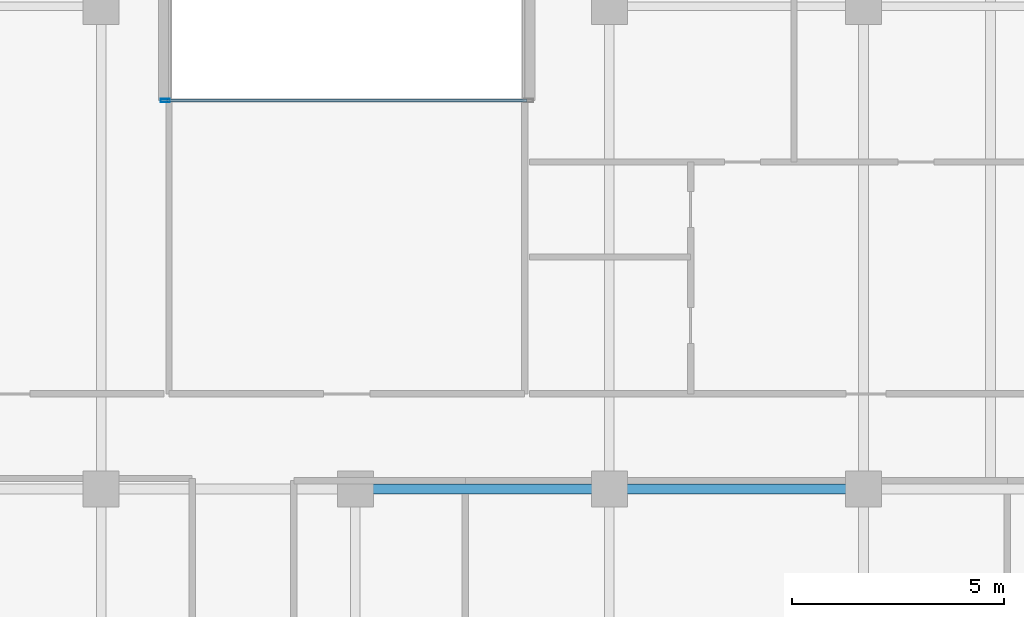
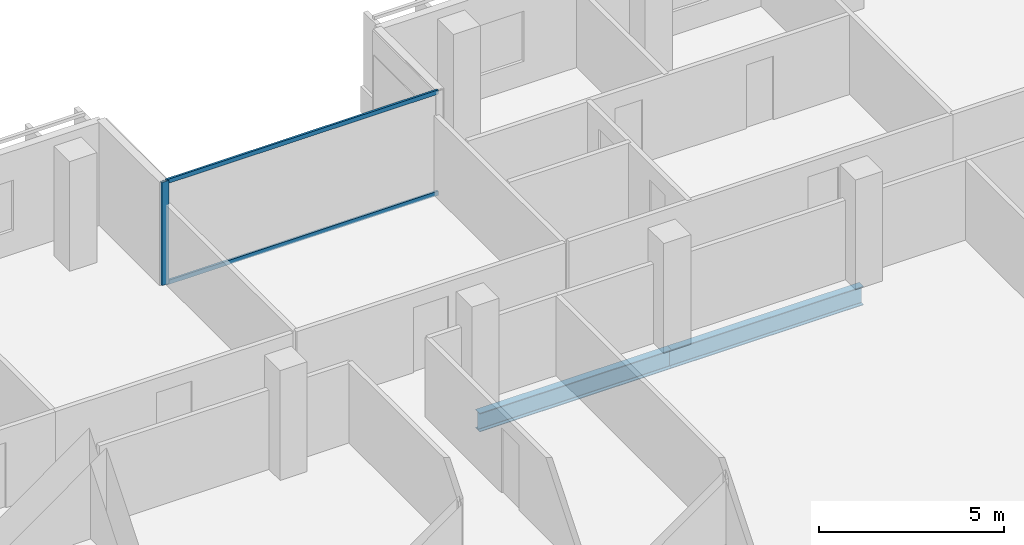
# One storey, part 10 of 30: 3 members, 2 beams, 1 element without a shape of its own.
"""IFC4 building model written with IfcOpenShell, lengths in metres."""

from ifc_helpers import new_model, si_unit, direction, frame, origin, origin_2d, place, context, subcontext, project, spatial, hollow_rectangle, i_section, extrude, material, layer, layer_set, material_profile, profile_set, type_object, element, aggregate, save


model = new_model("IFC4")

# Units and contexts
model_context = context("Model", 3, precision=1e-05, world=origin(), true_north=direction((0.0, 1.0)))
body_context = subcontext(model_context, "Body", "Model", "MODEL_VIEW")
ifc_project = project(units=[si_unit("LENGTHUNIT", "METRE"), si_unit("AREAUNIT", "SQUARE_METRE"), si_unit("VOLUMEUNIT", "CUBIC_METRE"), si_unit("PLANEANGLEUNIT", "RADIAN"), si_unit("MASSUNIT", "GRAM", prefix="KILO")], contexts=[model_context])

# Site, building, storey
site_placement = place(None, origin())
site = spatial("IfcSite", under=ifc_project, at=site_placement, CompositionType="ELEMENT")
building_placement = place(site_placement, origin())
building = spatial("IfcBuilding", under=site, at=building_placement, Name="Tanjung Sevakor Pilgrim Tower", CompositionType="ELEMENT")
storey_placement = place(building_placement, frame((0.0, 0.0, 165.659912109375)))
storey = spatial("IfcBuildingStorey", under=building, at=storey_placement, Name="L46", CompositionType="ELEMENT", Elevation=165.659912109375)

# Beams
ifc_material_1 = material(Name="Steel S355J2", Category="steel")
ifc_material_profile_1 = material_profile(ifc_material_1, i_section(OverallWidth=0.230224609375, OverallDepth=0.6171875, WebThickness=0.01318359375, FlangeThickness=0.022216796875, FilletRadius=0.0126953125, at=origin_2d()))
ifc_profile_set_1 = profile_set([ifc_material_profile_1], Name="Steel S355J2")
beam_type = type_object("IfcBeamType", Name="BM-B-G3-UB_610x229x140", PredefinedType="BEAM", material=ifc_profile_set_1)
for number, where, z_axis, x_axis, name in (
    (1, (48.0, 42.60009765625, -0.528564453125), (1.0, 0.0, 0.0), (0.0, 1.0, 0.0), "L46 Primary Floor Girder MAIN Y426-03"),
    (2, (54.0, 42.60009765625, -0.528564453125), (1.0, 0.0, 0.0), (0.0, 1.0, 0.0), "L46 Primary Floor Girder MAIN Y426-04"),
):
    element("IfcBeam", number, at=place(storey_placement, frame(where, z_axis=z_axis, x_axis=x_axis)), inside=storey, type_object=beam_type, Name=name, PredefinedType="BEAM", context=body_context, shape_type="SweptSolid", body=[
        extrude(i_section(OverallWidth=0.230224609375, OverallDepth=0.6171875, WebThickness=0.01318359375, FlangeThickness=0.022216796875, FilletRadius=0.0126953125, at=origin_2d()), origin(), (0.0, 0.0, 1.0), 6.0),
    ])

# Curtain wall, members
ifc_material_2 = material(Name="Aluminium 6063-T6 and Low-E Glass", Category="aluminium")
ifc_layer = layer(ifc_material_2, 0.179931640625)
ifc_layer_set = layer_set([ifc_layer], Name="CW-SYS-CLEFT")
curtain_wall_type = type_object("IfcCurtainWallType", Name="CW-SYS-CLEFT", PredefinedType="NOTDEFINED", material=ifc_layer_set)
curtain_wall_placement = place(storey_placement, origin())
curtain_wall = element("IfcCurtainWall", 3, at=curtain_wall_placement, inside=storey, type_object=curtain_wall_type, Name="L46 Curtain Wall CW-CLF-L46-10", PredefinedType="NOTDEFINED")
ifc_material_3 = material(Name="Aluminium 6063-T6", Category="aluminium")
ifc_material_profile_2 = material_profile(ifc_material_3, hollow_rectangle(XDim=0.074951171875, YDim=0.219970703125, WallThickness=0.0048828125, at=origin_2d()))
ifc_profile_set_2 = profile_set([ifc_material_profile_2], Name="Aluminium 6063-T6")
member_type_1 = type_object("IfcMemberType", Name="TYPE-CWM-2", PredefinedType="MULLION", material=ifc_profile_set_2)
member_1_placement = place(storey_placement, frame((43.512451171875, 51.77490234375, 0.0), z_axis=(0.0, 0.0, 1.0), x_axis=(0.0, -1.0, 0.0)))
member_1 = element("IfcMember", 4, at=member_1_placement, type_object=member_type_1, Name="CW-CLF mullion 2", PredefinedType="MULLION", context=body_context, shape_type="SweptSolid", body=[
    extrude(hollow_rectangle(XDim=0.074951171875, YDim=0.219970703125, WallThickness=0.0048828125, at=origin_2d()), origin(), (0.0, 0.0, 1.0), 3.41015625),
])
ifc_material_4 = material(Name="Aluminium 6063-T6", Category="aluminium")
ifc_material_profile_3 = material_profile(ifc_material_4, hollow_rectangle(XDim=0.06494140625, YDim=0.139892578125, WallThickness=0.00390625, at=origin_2d()))
ifc_profile_set_3 = profile_set([ifc_material_profile_3], Name="Aluminium 6063-T6")
member_type_2 = type_object("IfcMemberType", Name="TYPE-CWT-1", PredefinedType="USERDEFINED", material=ifc_profile_set_3)
member_2_placement = place(storey_placement, frame((52.050048828125, 51.77490234375, 0.032470703125), z_axis=(-1.0, 0.0, 0.0), x_axis=(0.0, -1.0, 0.0)))
member_2 = element("IfcMember", 5, at=member_2_placement, type_object=member_type_2, Name="CW-CLF transom 1.1", ObjectType="TRANSOM", PredefinedType="USERDEFINED", context=body_context, shape_type="SweptSolid", body=[
    extrude(hollow_rectangle(XDim=0.06494140625, YDim=0.139892578125, WallThickness=0.00390625, at=origin_2d()), origin(), (0.0, 0.0, 1.0), 8.5),
])
member_3_placement = place(storey_placement, frame((52.050048828125, 51.77490234375, 3.377685546875), z_axis=(-1.0, 0.0, 0.0), x_axis=(0.0, -1.0, 0.0)))
member_3 = element("IfcMember", 6, at=member_3_placement, type_object=member_type_2, Name="CW-CLF transom 1.2", ObjectType="TRANSOM", PredefinedType="USERDEFINED", context=body_context, shape_type="SweptSolid", body=[
    extrude(hollow_rectangle(XDim=0.06494140625, YDim=0.139892578125, WallThickness=0.00390625, at=origin_2d()), origin(), (0.0, 0.0, 1.0), 8.5),
])
aggregate(curtain_wall, [member_1, member_2, member_3])

save(model, "model.ifc")
